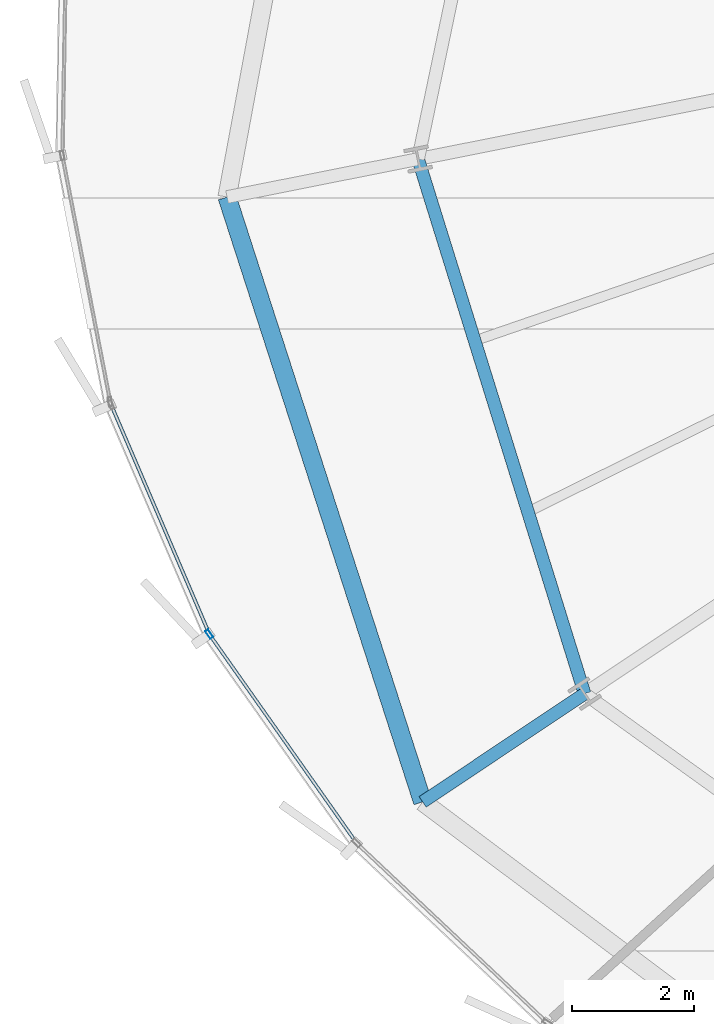
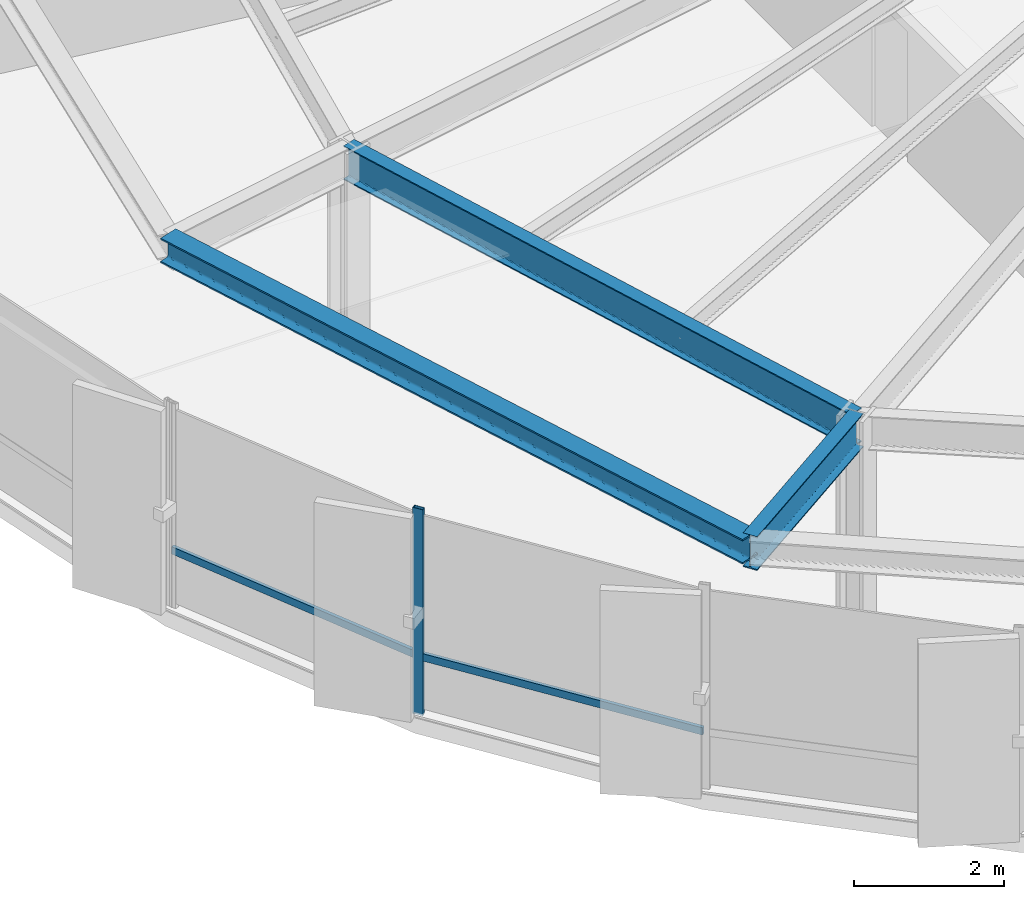
# One storey, part 3 of 35: 3 beams, 3 members, 1 element without a shape of its own.
"""IFC4 building model written with IfcOpenShell, lengths in metres."""

from ifc_helpers import new_model, si_unit, direction, frame, origin, origin_2d, place, context, subcontext, project, spatial, hollow_rectangle, i_section, extrude, source, transform, mapped, material, layer, layer_set, material_profile, profile_set, type_object, element, aggregate, save


model = new_model("IFC4")

# Units and contexts
model_context = context("Model", 3, precision=1e-05, world=origin(), true_north=direction((0.0, 1.0)))
body_context = subcontext(model_context, "Body", "Model", "MODEL_VIEW")
ifc_project = project(units=[si_unit("LENGTHUNIT", "METRE"), si_unit("AREAUNIT", "SQUARE_METRE"), si_unit("VOLUMEUNIT", "CUBIC_METRE"), si_unit("PLANEANGLEUNIT", "RADIAN"), si_unit("MASSUNIT", "GRAM", prefix="KILO"), si_unit("THERMODYNAMICTEMPERATUREUNIT", "KELVIN")], contexts=[model_context])

# Site, building, storey
site_placement = place(None, origin())
site = spatial("IfcSite", under=ifc_project, at=site_placement, CompositionType="ELEMENT")
building_placement = place(site_placement, origin())
building = spatial("IfcBuilding", under=site, at=building_placement, Name="Kethvar Cultural Tower", CompositionType="ELEMENT")
storey_placement = place(building_placement, frame((0.0, 0.0, 103.60009765625)))
storey = spatial("IfcBuildingStorey", under=building, at=storey_placement, Name="L25", CompositionType="ELEMENT", Elevation=103.60009765625)

# Beams
ifc_material_1 = material(Name="Steel S355J2", Category="steel")
ifc_material_profile_1 = material_profile(ifc_material_1, i_section(OverallWidth=0.2099609375, OverallDepth=0.550048828125, WebThickness=0.010986328125, FlangeThickness=0.01708984375, FilletRadius=0.02392578125, at=origin_2d()), Name="Steel S355J2 — IPE550")
ifc_profile_set_1 = profile_set([ifc_material_profile_1], Name="Steel S355J2 — IPE550")
beam_type_1 = type_object("IfcBeamType", Name="BM-IPE550", PredefinedType="BEAM", material=ifc_profile_set_1)
shared_shape_1 = source(origin(), body_context, "Body", "SweptSolid", [
    extrude(i_section(OverallWidth=0.2099609375, OverallDepth=0.550048828125, WebThickness=0.010986328125, FlangeThickness=0.01708984375, FilletRadius=0.02392578125, at=origin_2d()), origin(), (0.0, 0.0, 1.0), 3.199951171875),
])
beam_1_placement = place(storey_placement, frame((26.920654296875, 14.51708984375, 3.072998046875), z_axis=(-0.831462943996, -0.555580212716, 0.0), x_axis=(0.555580212716, -0.831462943996, 0.0)))
element("IfcBeam", 1, at=beam_1_placement, inside=storey, type_object=beam_type_1, Name="L25 Perimeter Cantilever Beam RC-10", PredefinedType="BEAM", context=body_context, shape_type="MappedRepresentation", body=[
    mapped(shared_shape_1, transform((0.0, 0.0, 0.0), scale=1.0)),
])
shared_shape_2 = source(origin(), body_context, "Body", "SweptSolid", [
    extrude(i_section(OverallWidth=0.2099609375, OverallDepth=0.550048828125, WebThickness=0.010986328125, FlangeThickness=0.01708984375, FilletRadius=0.02392578125, at=origin_2d()), origin(), (0.0, 0.0, 1.0), 9.20068359375),
])
beam_2_placement = place(storey_placement, frame((24.185302734375, 23.3017578125, 3.072998046875), z_axis=(0.297298800285, -0.954784490526, 0.0), x_axis=(0.954784490526, 0.297298800285, 0.0)))
element("IfcBeam", 2, at=beam_2_placement, inside=storey, type_object=beam_type_1, Name="L25 Column Ring Tie Beam CR-09", PredefinedType="BEAM", context=body_context, shape_type="MappedRepresentation", body=[
    mapped(shared_shape_2, transform((0.0, 0.0, 0.0), scale=1.0)),
])
ifc_material_profile_2 = material_profile(ifc_material_1, i_section(OverallWidth=0.300048828125, OverallDepth=0.39990234375, WebThickness=0.013427734375, FlangeThickness=0.02392578125, FilletRadius=0.027099609375, at=origin_2d()), Name="Steel S355J2 — HEB400")
ifc_profile_set_2 = profile_set([ifc_material_profile_2], Name="Steel S355J2 — HEB400")
beam_type_2 = type_object("IfcBeamType", Name="BM-SP400", PredefinedType="SPANDREL", material=ifc_profile_set_2)
shared_shape_3 = source(origin(), body_context, "Body", "SweptSolid", [
    extrude(i_section(OverallWidth=0.300048828125, OverallDepth=0.39990234375, WebThickness=0.013427734375, FlangeThickness=0.02392578125, FilletRadius=0.027099609375, at=origin_2d()), origin(), (0.0, 0.0, 1.0), 10.44482421875),
])
beam_3_placement = place(storey_placement, frame((21.046875, 22.677490234375, 3.14794921875), z_axis=(0.307631709258, -0.951505507845, 0.0), x_axis=(0.951505507845, 0.307631709258, 0.0)))
element("IfcBeam", 3, at=beam_3_placement, inside=storey, type_object=beam_type_2, Name="L25 Perimeter Spandrel Beam SP-09", PredefinedType="SPANDREL", context=body_context, shape_type="MappedRepresentation", body=[
    mapped(shared_shape_3, transform((0.0, 0.0, 0.0), scale=1.0)),
])

# Curtain wall, members
ifc_material_2 = material(Name="Aluminium 6063-T6", Category="aluminium")
ifc_layer = layer(ifc_material_2, 0.179931640625, Name="Aluminium 6063-T6", Category="aluminium")
ifc_layer_set = layer_set([ifc_layer], Name="Aluminium 6063-T6 (180 mm)")
curtain_wall_type = type_object("IfcCurtainWallType", Name="CW-SYS-03-Z2", PredefinedType="NOTDEFINED", material=ifc_layer_set)
curtain_wall_placement = place(storey_placement, origin())
curtain_wall = element("IfcCurtainWall", 4, at=curtain_wall_placement, inside=storey, type_object=curtain_wall_type, Name="L25 Curtain Wall Run 04", PredefinedType="NOTDEFINED")
ifc_material_profile_3 = material_profile(ifc_material_2, hollow_rectangle(XDim=0.06005859375, YDim=0.14990234375, WallThickness=0.0048828125, at=origin_2d()), Name="Aluminium 6063-T6 — RHS150x60x5")
ifc_profile_set_3 = profile_set([ifc_material_profile_3], Name="Aluminium 6063-T6 — RHS150x60x5")
member_type_1 = type_object("IfcMemberType", Name="CW-SYS-03-Z2-MUL", PredefinedType="MULLION", material=ifc_profile_set_3)
shared_shape_4 = source(origin(), body_context, "Body", "SweptSolid", [
    extrude(hollow_rectangle(XDim=0.06005859375, YDim=0.14990234375, WallThickness=0.0048828125, at=origin_2d()), origin(), (0.0, 0.0, 1.0), 3.349853515625),
])
member_1_placement = place(storey_placement, frame((20.753662109375, 15.495849609375, 0.0), z_axis=(0.0, 0.0, 1.0), x_axis=(0.817144898335, 0.57643231617, 0.0)))
member_1 = element("IfcMember", 5, at=member_1_placement, type_object=member_type_1, Name="CW-L25-R04 Mullion 2", PredefinedType="MULLION", context=body_context, shape_type="MappedRepresentation", body=[
    mapped(shared_shape_4, transform((0.0, 0.0, 0.0), scale=1.0)),
])
ifc_material_profile_4 = material_profile(ifc_material_2, hollow_rectangle(XDim=0.054931640625, YDim=0.1201171875, WallThickness=0.00390625, at=origin_2d()), Name="Aluminium 6063-T6 — RHS120x55x4")
ifc_profile_set_4 = profile_set([ifc_material_profile_4], Name="Aluminium 6063-T6 — RHS120x55x4")
member_type_2 = type_object("IfcMemberType", Name="CW-SYS-03-Z2-TRN", PredefinedType="USERDEFINED", material=ifc_profile_set_4)
shared_shape_5 = source(origin(), body_context, "Body", "SweptSolid", [
    extrude(hollow_rectangle(XDim=0.054931640625, YDim=0.1201171875, WallThickness=0.00390625, at=origin_2d()), origin(), (0.0, 0.0, 1.0), 4.074462890625),
])
member_2_placement = place(storey_placement, frame((19.143798828125, 19.259765625, 0.949951171875), z_axis=(0.393781895726, -0.919203904799, 0.0), x_axis=(0.919203904799, 0.393781895726, 0.0)))
member_2 = element("IfcMember", 6, at=member_2_placement, type_object=member_type_2, Name="CW-L25-R04 Transom 1", ObjectType="TRANSOM", PredefinedType="USERDEFINED", context=body_context, shape_type="MappedRepresentation", body=[
    mapped(shared_shape_5, transform((0.0, 0.0, 0.0), scale=1.0)),
])
shared_shape_6 = source(origin(), body_context, "Body", "SweptSolid", [
    extrude(hollow_rectangle(XDim=0.054931640625, YDim=0.1201171875, WallThickness=0.00390625, at=origin_2d()), origin(), (0.0, 0.0, 1.0), 4.134033203125),
])
member_3_placement = place(storey_placement, frame((20.778564453125, 15.46044921875, 0.949951171875), z_axis=(0.576462903426, -0.817123320542, 0.0), x_axis=(0.817123320542, 0.576462903426, 0.0)))
member_3 = element("IfcMember", 7, at=member_3_placement, type_object=member_type_2, Name="CW-L25-R04 Transom 2", ObjectType="TRANSOM", PredefinedType="USERDEFINED", context=body_context, shape_type="MappedRepresentation", body=[
    mapped(shared_shape_6, transform((0.0, 0.0, 0.0), scale=1.0)),
])
aggregate(curtain_wall, [member_1, member_2, member_3])

save(model, "model.ifc")
